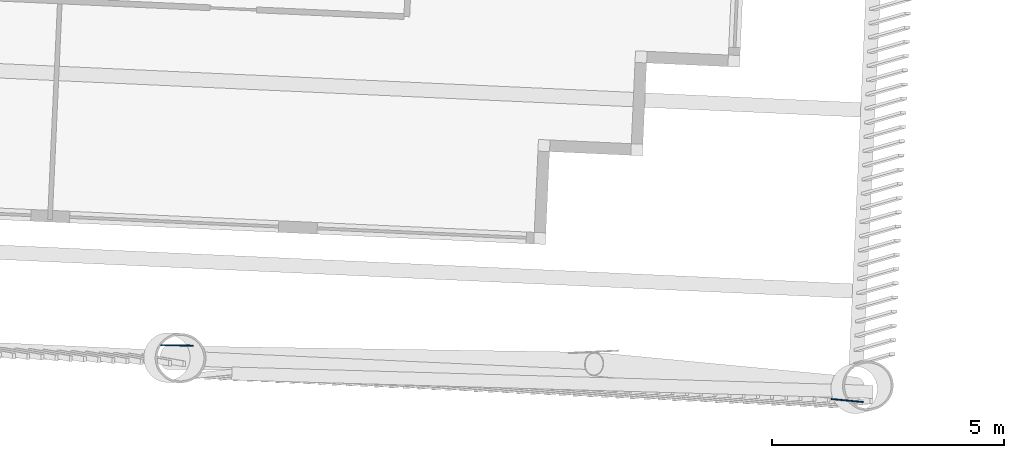
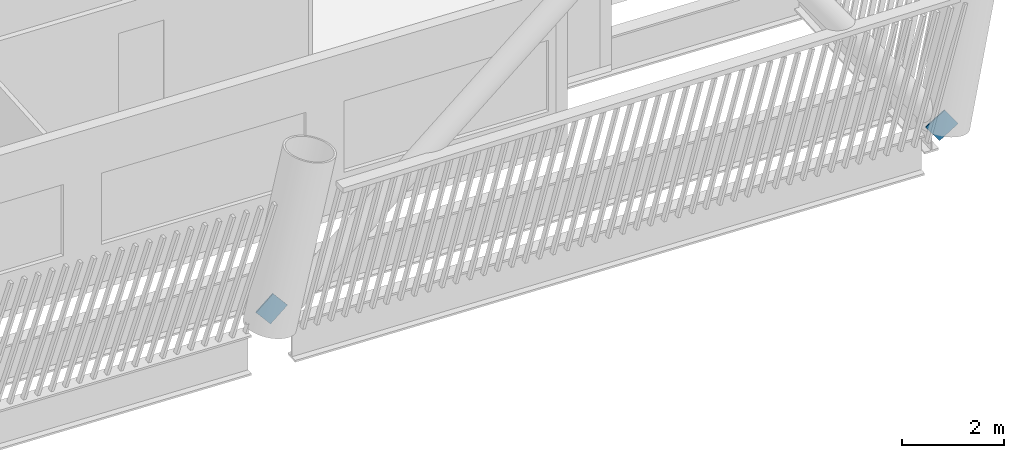
# One storey, part 12 of 24: 2 discrete accessories.
"""IFC4 building model written with IfcOpenShell, lengths in metres."""

import ifcopenshell
import ifcopenshell.guid

model = None  # the IFC model being written
_history = None  # IfcOwnerHistory: only IFC2X3 demands one
_inside = {}  # id of a spatial element -> (the spatial element, [elements in it])
_under = {}  # id of a project, library or spatial element -> (it, [spatial elements below it])
_declared = {}  # id of a project -> (the project, [libraries it declares])
_typed = {}  # id of a type object -> (the type object, [elements of that type])
_made_of = {}  # id of a material, layer set ... -> (it, [elements and type objects made of it])


def new_model(schema):
    """Start an empty IFC model of exactly this schema.

    Asked for "IFC4X3", IfcOpenShell would pick the latest addendum, in which some entities
    have other attributes; the version numbers below select the first issue.
    IFC2X3 requires an IfcOwnerHistory on every rooted entity: one is made here for all.
    """
    global model, _history
    if schema == "IFC4X3":
        model = ifcopenshell.file(schema_version=(4, 3, 0, 0))
    else:
        model = ifcopenshell.file(schema=schema)
    _inside.clear()
    _under.clear()
    _declared.clear()
    _typed.clear()
    _made_of.clear()
    _history = None
    if model.schema == "IFC2X3":
        org = make("IfcOrganization", Name="unknown")
        user = make(
            "IfcPersonAndOrganization",
            ThePerson=make("IfcPerson", FamilyName="unknown"),
            TheOrganization=org,
        )
        app = make(
            "IfcApplication",
            ApplicationDeveloper=org,
            Version="unknown",
            ApplicationFullName="unknown",
            ApplicationIdentifier="unknown",
        )
        _history = make(
            "IfcOwnerHistory",
            OwningUser=user,
            OwningApplication=app,
            ChangeAction="ADDED",
            CreationDate=0,
        )
    return model


def make(cls, **values):
    """One entity of the class cls with the attributes given. An attribute that is None is left unset."""
    return model.create_entity(
        cls, **{name: value for name, value in values.items() if value is not None}
    )


def rooted(cls, **values):
    """An entity with a GlobalId (a new one), such as an element, a storey or a relation."""
    return make(cls, GlobalId=ifcopenshell.guid.new(), OwnerHistory=_history, **values)


def si_unit(unit_type, name, prefix=None):
    """IfcSIUnit, for example si_unit("LENGTHUNIT", "METRE", prefix="MILLI")."""
    return make("IfcSIUnit", UnitType=unit_type, Prefix=prefix, Name=name)


def assignment(units):
    """IfcUnitAssignment: the units of a project."""
    return None if units is None else make("IfcUnitAssignment", Units=units)


def point(xyz):
    """IfcCartesianPoint."""
    return None if xyz is None else make("IfcCartesianPoint", Coordinates=xyz)


def direction(xyz):
    """IfcDirection."""
    return None if xyz is None else make("IfcDirection", DirectionRatios=xyz)


def frame(location, z_axis=None, x_axis=None):
    """IfcAxis2Placement3D, a coordinate frame: its origin and axes. An axis left out is left unset."""
    return make(
        "IfcAxis2Placement3D",
        Location=point(location),
        Axis=direction(z_axis),
        RefDirection=direction(x_axis),
    )


def frame_2d(location, x_axis=None):
    """IfcAxis2Placement2D, a coordinate frame in the plane: its origin and x axis."""
    return make(
        "IfcAxis2Placement2D", Location=point(location), RefDirection=direction(x_axis)
    )


def origin():
    """The frame at (0, 0, 0) with its axes left unset."""
    return frame((0.0, 0.0, 0.0))


def origin_2d():
    """The frame at (0, 0) in the plane with its x axis left unset."""
    return frame_2d((0.0, 0.0))


def place(relative_to, where):
    """IfcLocalPlacement: puts the frame where relative to a parent placement (None: the world)."""
    return make(
        "IfcLocalPlacement", PlacementRelTo=relative_to, RelativePlacement=where
    )


def context(
    kind, dimensions, precision=None, world=None, true_north=None, identifier=None
):
    """IfcGeometricRepresentationContext, for example the 3D "Model" context."""
    return make(
        "IfcGeometricRepresentationContext",
        ContextIdentifier=identifier,
        ContextType=kind,
        CoordinateSpaceDimension=dimensions,
        Precision=precision,
        WorldCoordinateSystem=world,
        TrueNorth=true_north,
    )


def subcontext(parent, identifier, kind, view, scale=None):
    """IfcGeometricRepresentationSubContext, for example "Body" below "Model"."""
    return make(
        "IfcGeometricRepresentationSubContext",
        ContextIdentifier=identifier,
        ContextType=kind,
        ParentContext=parent,
        TargetScale=scale,
        TargetView=view,
    )


def project(units=None, contexts=None):
    """IfcProject with its units and contexts."""
    return rooted(
        "IfcProject",
        Name="project",
        RepresentationContexts=contexts,
        UnitsInContext=assignment(units),
    )


def spatial(cls, under=None, at=None, **own):
    """A site, building, storey or space (cls), placed at a placement, below another one or the project."""
    s = rooted(cls, ObjectPlacement=at, **own)
    if under is not None:
        _under.setdefault(under.id(), (under, []))[1].append(s)
    return s


def profile(cls, at=None, kind="AREA", **sizes):
    """A parametric profile (cls). Its sizes go by their IFC names, for example OverallWidth=200.0."""
    return make(cls, ProfileType=kind, Position=at, **sizes)


def rectangle(**sizes):
    """IfcRectangleProfileDef."""
    return profile("IfcRectangleProfileDef", **sizes)


def extrude(swept, where, along, depth):
    """IfcExtrudedAreaSolid: the profile swept, set in the frame where, extruded along a direction by depth."""
    return make(
        "IfcExtrudedAreaSolid",
        SweptArea=swept,
        Position=where,
        ExtrudedDirection=direction(along),
        Depth=depth,
    )


def shape(context_of_items, identifier, shape_type, items):
    """IfcShapeRepresentation: the items that make up one representation, for example the "Body"."""
    return make(
        "IfcShapeRepresentation",
        ContextOfItems=context_of_items,
        RepresentationIdentifier=identifier,
        RepresentationType=shape_type,
        Items=items,
    )


def material(Name=None, Category=None):
    """IfcMaterial."""
    return make("IfcMaterial", Name=Name, Category=Category)


def material_profile(
    of_material, cross_section, Name=None, Category=None, Priority=None
):
    """IfcMaterialProfile: a cross section and its material."""
    return make(
        "IfcMaterialProfile",
        Name=Name,
        Material=of_material,
        Profile=cross_section,
        Priority=Priority,
        Category=Category,
    )


def profile_set(profiles, Name=None, composite=None):
    """IfcMaterialProfileSet."""
    return make(
        "IfcMaterialProfileSet",
        Name=Name,
        MaterialProfiles=profiles,
        CompositeProfile=composite,
    )


def made_of(thing, what):
    """Note that an element or type object is made of a material, layer set ...; save() writes the relation."""
    if what is not None:
        _made_of.setdefault(what.id(), (what, []))[1].append(thing)
    return thing


def type_object(cls, material=None, **own):
    """A type object (cls), such as IfcWallType, which elements share."""
    return made_of(rooted(cls, **own), material)


def element(
    cls,
    number,
    at=None,
    inside=None,
    cuts=None,
    type_object=None,
    material=None,
    context=None,
    identifier="Body",
    shape_type=None,
    held_by="IfcProductDefinitionShape",
    body=None,
    shapes=None,
    **own,
):
    """One element of the class cls, such as IfcWall. Its Tag is "e" and its number.

    at: its placement. inside: the storey or other place that contains it. cuts: it is an
    opening in that element (IfcRelVoidsElement). A single representation is given by context,
    identifier, shape_type and body (its items); several are given by shapes. held_by: the class
    of the entity that holds the representations. save() writes the other relations.
    """
    e = rooted(cls, Tag="e%d" % number, ObjectPlacement=at, **own)
    if body is not None:
        shapes = [shape(context, identifier, shape_type, body)]
    if shapes is not None:
        e.Representation = make(held_by, Representations=shapes)
    if inside is not None:
        _inside.setdefault(inside.id(), (inside, []))[1].append(e)
    if cuts is not None:
        rooted(
            "IfcRelVoidsElement", RelatingBuildingElement=cuts, RelatedOpeningElement=e
        )
    if type_object is not None:
        _typed.setdefault(type_object.id(), (type_object, []))[1].append(e)
    return made_of(e, material)


def aggregate(whole, parts):
    """IfcRelAggregates: a whole, such as a stair, and the parts it consists of."""
    return rooted("IfcRelAggregates", RelatingObject=whole, RelatedObjects=parts)


def save(model, path):
    """Write the relations noted so far, then the file.

    IfcRelAggregates (storeys below a building ...), IfcRelContainedInSpatialStructure (elements
    in a storey), IfcRelDefinesByType, IfcRelAssociatesMaterial and IfcRelDeclares: one each for
    every whole, place, type object, material and project.
    """
    for whole, parts in _under.values():
        aggregate(whole, parts)
    for where, things in _inside.values():
        rooted(
            "IfcRelContainedInSpatialStructure",
            RelatedElements=things,
            RelatingStructure=where,
        )
    for kind, things in _typed.values():
        rooted("IfcRelDefinesByType", RelatedObjects=things, RelatingType=kind)
    for what, things in _made_of.values():
        rooted("IfcRelAssociatesMaterial", RelatedObjects=things, RelatingMaterial=what)
    for by, libraries in _declared.values():
        rooted("IfcRelDeclares", RelatingContext=by, RelatedDefinitions=libraries)
    model.write(path)


model = new_model("IFC4")

# Units and contexts
model_context = context("Model", 3, precision=1e-05, world=origin(), true_north=direction((0.0, 1.0)))
body_context = subcontext(model_context, "Body", "Model", "MODEL_VIEW")
ifc_project = project(units=[si_unit("LENGTHUNIT", "METRE"), si_unit("AREAUNIT", "SQUARE_METRE"), si_unit("VOLUMEUNIT", "CUBIC_METRE"), si_unit("PLANEANGLEUNIT", "RADIAN"), si_unit("MASSUNIT", "GRAM", prefix="KILO")], contexts=[model_context])

# Site, building, storey
site_placement = place(None, origin())
site = spatial("IfcSite", under=ifc_project, at=site_placement, CompositionType="ELEMENT")
building_placement = place(site_placement, origin())
building = spatial("IfcBuilding", under=site, at=building_placement, Name="Tarsis Ring Headquarters", CompositionType="ELEMENT")
storey_placement = place(building_placement, frame((0.0, 0.0, 216.0)))
storey = spatial("IfcBuildingStorey", under=building, at=storey_placement, Name="L50", CompositionType="ELEMENT", Elevation=216.0)

# Discrete accessories
ifc_material = material(Name="Structural steel S355", Category="steel")
ifc_material_profile = material_profile(ifc_material, rectangle(XDim=0.02490234375, YDim=0.5, at=origin_2d()), Name="PL 25x500")
ifc_profile_set = profile_set([ifc_material_profile], Name="Structural steel S355")
discrete_accessory_type = type_object("IfcDiscreteAccessoryType", Name="Gusset plate Exo brace 25", PredefinedType="BRACKET", material=ifc_profile_set)
for number, where, z_axis, x_axis, name in (
    (1, (-2.39111328125, -52.479248046875, 0.0), (0.761650293051, -0.011229459449, 0.64789098646), (0.014741987572, 0.999891330997, 0.0), "Gusset plate GP5"),
    (2, (12.364501953125, -53.682373046875, 0.0), (-0.583565803511, 0.055670712636, 0.810155370733), (-0.094966339079, -0.995480484209, 0.0), "Gusset plate GP5"),
):
    element("IfcDiscreteAccessory", number, at=place(storey_placement, frame(where, z_axis=z_axis, x_axis=x_axis)), inside=storey, type_object=discrete_accessory_type, Name=name, PredefinedType="BRACKET", context=body_context, shape_type="SweptSolid", body=[
        extrude(rectangle(XDim=0.02490234375, YDim=0.5, at=origin_2d()), origin(), (0.0, 0.0, 1.0), 0.5),
    ])

save(model, "model.ifc")
